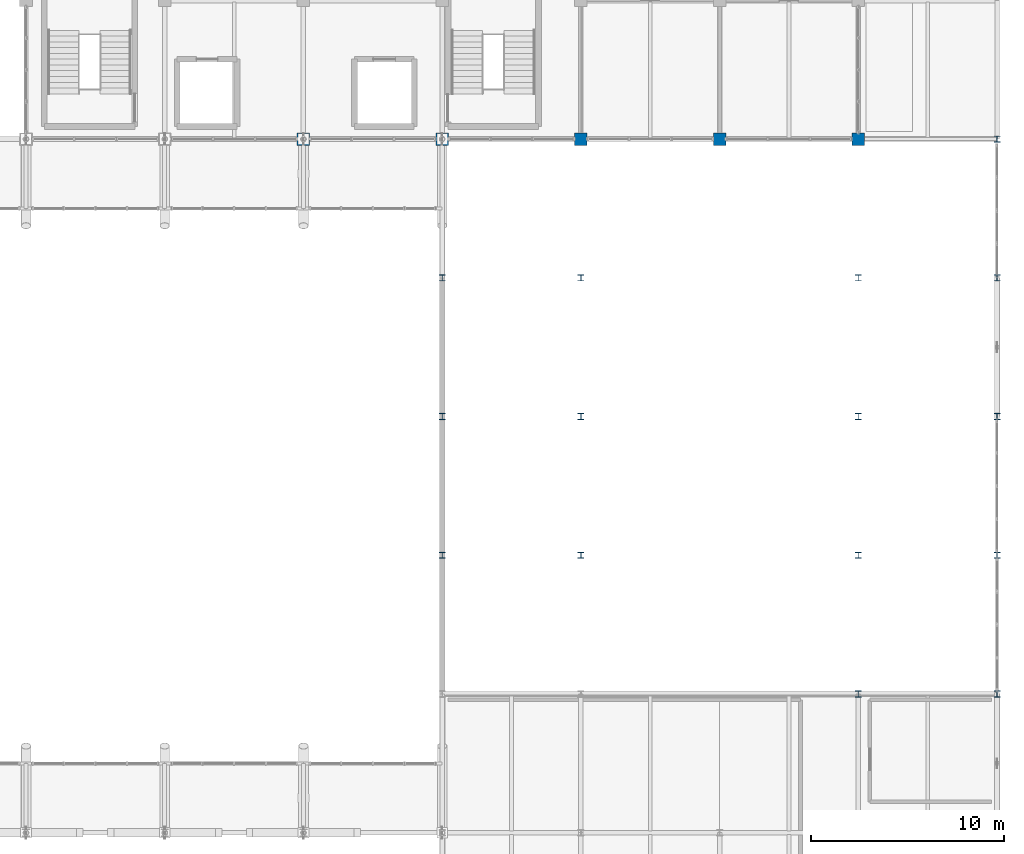
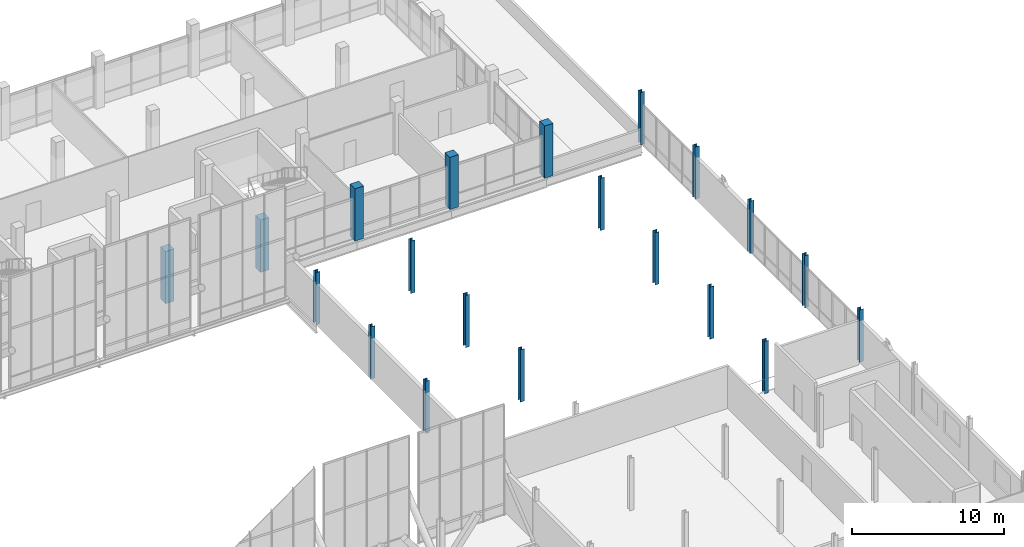
# One storey, part 7 of 102: 20 columns.
"""IFC4 building model written with IfcOpenShell, lengths in metres."""

from ifc_helpers import new_model, si_unit, direction, frame, origin, origin_2d, place, context, subcontext, project, spatial, rectangle, i_section, extrude, material, material_profile, profile_set, type_object, element, save


model = new_model("IFC4")

# Units and contexts
model_context = context("Model", 3, precision=1e-05, world=origin(), true_north=direction((0.0, 1.0)))
body_context = subcontext(model_context, "Body", "Model", "MODEL_VIEW")
ifc_project = project(units=[si_unit("LENGTHUNIT", "METRE"), si_unit("AREAUNIT", "SQUARE_METRE"), si_unit("VOLUMEUNIT", "CUBIC_METRE"), si_unit("PLANEANGLEUNIT", "RADIAN"), si_unit("MASSUNIT", "GRAM", prefix="KILO")], contexts=[model_context])

# Site, building, storey
site_placement = place(None, origin())
site = spatial("IfcSite", under=ifc_project, at=site_placement, CompositionType="ELEMENT")
building_placement = place(site_placement, origin())
building = spatial("IfcBuilding", under=site, at=building_placement, Name="Yarey Park Central Fire Station", CompositionType="ELEMENT")
storey_placement = place(building_placement, frame((0.0, 0.0, 6.0)))
storey = spatial("IfcBuildingStorey", under=building, at=storey_placement, Name="L02", CompositionType="ELEMENT", Elevation=6.0)

# Columns
ifc_material_1 = material(Name="Concrete C40/50", Category="concrete")
ifc_material_profile_1 = material_profile(ifc_material_1, rectangle(XDim=0.64990234375, YDim=0.64990234375, at=origin_2d()), Name="RC 650x650")
ifc_profile_set_1 = profile_set([ifc_material_profile_1], Name="Concrete C40/50")
column_type_1 = type_object("IfcColumnType", Name="STR_COL_RC650_EXT", PredefinedType="COLUMN", material=ifc_profile_set_1)
for number, where, z_axis, x_axis, name in (
    (1, (129.60009765625, 93.60009765625, 0.0), (0.0, 0.0, 1.0), (1.0, 0.0, 0.0), "COL_L02_X1296_Y936"),
    (2, (136.800048828125, 93.60009765625, 0.0), (0.0, 0.0, 1.0), (1.0, 0.0, 0.0), "COL_L02_X1368_Y936"),
    (3, (144.0, 93.60009765625, 0.0), (0.0, 0.0, 1.0), (1.0, 0.0, 0.0), "COL_L02_X1440_Y936"),
    (4, (151.199951171875, 93.60009765625, 0.0), (0.0, 0.0, 1.0), (1.0, 0.0, 0.0), "COL_L02_X1512_Y936"),
    (5, (158.39990234375, 93.60009765625, 0.0), (0.0, 0.0, 1.0), (1.0, 0.0, 0.0), "COL_L02_X1584_Y936"),
):
    element("IfcColumn", number, at=place(storey_placement, frame(where, z_axis=z_axis, x_axis=x_axis)), inside=storey, type_object=column_type_1, Name=name, PredefinedType="COLUMN", context=body_context, shape_type="SweptSolid", body=[
        extrude(rectangle(XDim=0.64990234375, YDim=0.64990234375, at=origin_2d()), origin(), (0.0, 0.0, 1.0), 4.199951171875),
    ])
ifc_material_2 = material(Name="Steel ASTM A992 Gr. 50", Category="steel")
ifc_material_profile_2 = material_profile(ifc_material_2, i_section(OverallWidth=0.30908203125, OverallDepth=0.322998046875, WebThickness=0.013916015625, FlangeThickness=0.02294921875, at=origin_2d()), Name="W310x143")
ifc_profile_set_2 = profile_set([ifc_material_profile_2], Name="Steel ASTM A992 Gr. 50")
column_type_2 = type_object("IfcColumnType", Name="STR_COL_W310_EXT", PredefinedType="COLUMN", material=ifc_profile_set_2)
for number, where, z_axis, x_axis, name in (
    (6, (136.800048828125, 72.0, 0.0), (0.0, 0.0, 1.0), (1.0, 0.0, 0.0), "COL_L02_X1368_Y720"),
    (7, (136.800048828125, 79.199951171875, 0.0), (0.0, 0.0, 1.0), (1.0, 0.0, 0.0), "COL_L02_X1368_Y792"),
    (8, (136.800048828125, 86.39990234375, 0.0), (0.0, 0.0, 1.0), (1.0, 0.0, 0.0), "COL_L02_X1368_Y864"),
    (9, (165.60009765625, 64.800048828125, 0.0), (0.0, 0.0, 1.0), (1.0, 0.0, 0.0), "COL_L02_X1656_Y648"),
    (10, (165.60009765625, 72.0, 0.0), (0.0, 0.0, 1.0), (1.0, 0.0, 0.0), "COL_L02_X1656_Y720"),
    (11, (165.60009765625, 79.199951171875, 0.0), (0.0, 0.0, 1.0), (1.0, 0.0, 0.0), "COL_L02_X1656_Y792"),
    (12, (165.60009765625, 86.39990234375, 0.0), (0.0, 0.0, 1.0), (1.0, 0.0, 0.0), "COL_L02_X1656_Y864"),
    (13, (165.60009765625, 93.60009765625, 0.0), (0.0, 0.0, 1.0), (1.0, 0.0, 0.0), "COL_L02_X1656_Y936"),
):
    element("IfcColumn", number, at=place(storey_placement, frame(where, z_axis=z_axis, x_axis=x_axis)), inside=storey, type_object=column_type_2, Name=name, PredefinedType="COLUMN", context=body_context, shape_type="SweptSolid", body=[
        extrude(i_section(OverallWidth=0.30908203125, OverallDepth=0.322998046875, WebThickness=0.013916015625, FlangeThickness=0.02294921875, at=origin_2d()), origin(), (0.0, 0.0, 1.0), 4.199951171875),
    ])
ifc_material_profile_3 = material_profile(ifc_material_2, i_section(OverallWidth=0.30908203125, OverallDepth=0.322998046875, WebThickness=0.013916015625, FlangeThickness=0.02294921875, at=origin_2d()), Name="W310x143")
ifc_profile_set_3 = profile_set([ifc_material_profile_3], Name="Steel ASTM A992 Gr. 50")
column_type_3 = type_object("IfcColumnType", Name="STR_COL_W310_INT", PredefinedType="COLUMN", material=ifc_profile_set_3)
for number, where, z_axis, x_axis, name in (
    (14, (144.0, 72.0, 0.0), (0.0, 0.0, 1.0), (1.0, 0.0, 0.0), "COL_L02_X1440_Y720"),
    (15, (144.0, 79.199951171875, 0.0), (0.0, 0.0, 1.0), (1.0, 0.0, 0.0), "COL_L02_X1440_Y792"),
    (16, (144.0, 86.39990234375, 0.0), (0.0, 0.0, 1.0), (1.0, 0.0, 0.0), "COL_L02_X1440_Y864"),
    (17, (158.39990234375, 64.800048828125, 0.0), (0.0, 0.0, 1.0), (1.0, 0.0, 0.0), "COL_L02_X1584_Y648"),
    (18, (158.39990234375, 72.0, 0.0), (0.0, 0.0, 1.0), (1.0, 0.0, 0.0), "COL_L02_X1584_Y720"),
    (19, (158.39990234375, 79.199951171875, 0.0), (0.0, 0.0, 1.0), (1.0, 0.0, 0.0), "COL_L02_X1584_Y792"),
    (20, (158.39990234375, 86.39990234375, 0.0), (0.0, 0.0, 1.0), (1.0, 0.0, 0.0), "COL_L02_X1584_Y864"),
):
    element("IfcColumn", number, at=place(storey_placement, frame(where, z_axis=z_axis, x_axis=x_axis)), inside=storey, type_object=column_type_3, Name=name, PredefinedType="COLUMN", context=body_context, shape_type="SweptSolid", body=[
        extrude(i_section(OverallWidth=0.30908203125, OverallDepth=0.322998046875, WebThickness=0.013916015625, FlangeThickness=0.02294921875, at=origin_2d()), origin(), (0.0, 0.0, 1.0), 4.199951171875),
    ])

save(model, "model.ifc")
